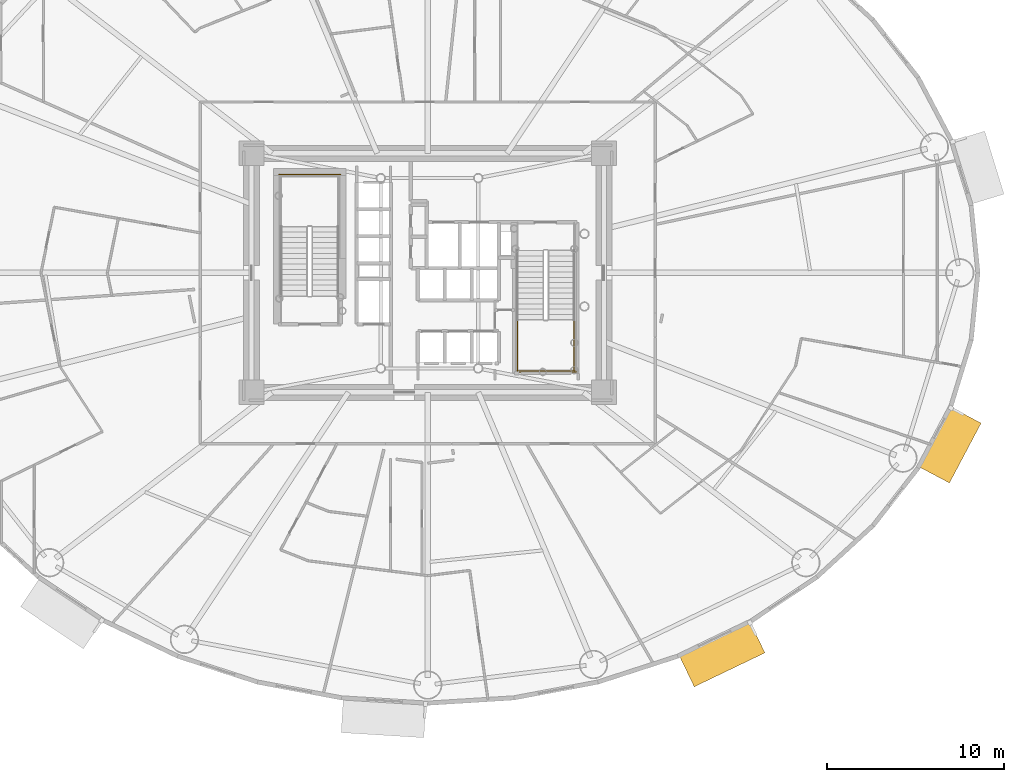
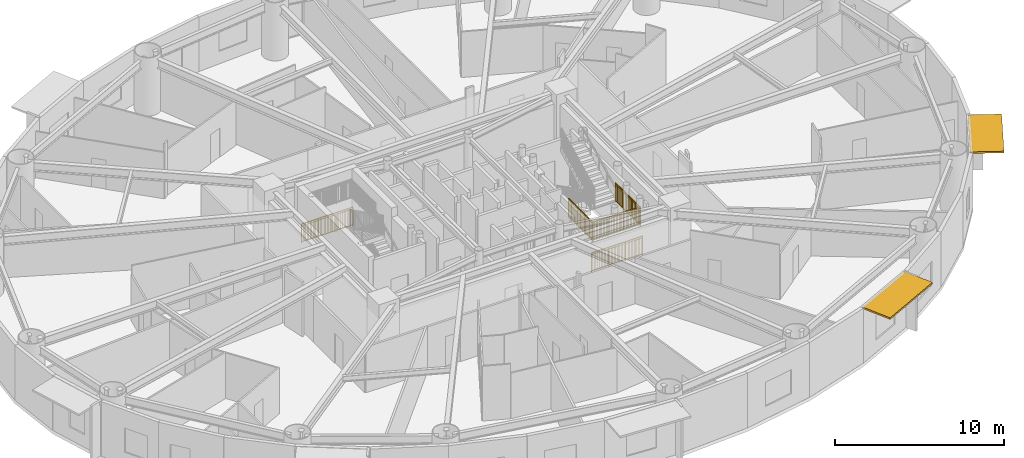
# One storey, part 18 of 21: 5 railings, 2 shading devices.
"""IFC4 building model written with IfcOpenShell, lengths in metres."""

from ifc_helpers import new_model, si_unit, direction, frame, origin, origin_2d, place, context, subcontext, project, spatial, rectangle, extrude, source, transform, mapped, material, layer, layer_set, type_object, element, save


model = new_model("IFC4")

# Units and contexts
model_context = context("Model", 3, precision=1e-05, world=origin(), true_north=direction((0.0, 1.0)))
body_context = subcontext(model_context, "Body", "Model", "MODEL_VIEW")
ifc_project = project(units=[si_unit("LENGTHUNIT", "METRE"), si_unit("AREAUNIT", "SQUARE_METRE"), si_unit("VOLUMEUNIT", "CUBIC_METRE"), si_unit("PLANEANGLEUNIT", "RADIAN"), si_unit("MASSUNIT", "GRAM", prefix="KILO")], contexts=[model_context])

# Site, building, storey
site_placement = place(None, origin())
site = spatial("IfcSite", under=ifc_project, at=site_placement, CompositionType="ELEMENT")
building_placement = place(site_placement, origin())
building = spatial("IfcBuilding", under=site, at=building_placement, Name="Linh Dai School and Residence Tower", CompositionType="ELEMENT")
storey_placement = place(building_placement, frame((0.0, 0.0, 61.800048828125)))
storey = spatial("IfcBuildingStorey", under=building, at=storey_placement, Name="L14", CompositionType="ELEMENT", Elevation=61.800048828125)

# Shading devices
ifc_material_1 = material(Name="Terracotta Ceramic Sunshade", Category="masonry")
ifc_layer = layer(ifc_material_1, 0.1201171875)
ifc_layer_set = layer_set([ifc_layer], Name="Terracotta Ceramic Sunshade")
shading_device_type = type_object("IfcShadingDeviceType", Name="SHD-TC-2000", PredefinedType="USERDEFINED", material=ifc_layer_set)
shared_shape_1 = source(origin(), body_context, "Body", "SweptSolid", [
    extrude(rectangle(XDim=4.428466796875, YDim=2.0, at=origin_2d()), origin(), (0.0, 0.0, 1.0), 0.1201171875),
])
shading_device_1_placement = place(storey_placement, frame((52.613037109375, 5.48095703125, 3.809814453125), z_axis=(0.0, 0.0, 1.0), x_axis=(-0.901584514626, -0.432603008528, 0.0)))
element("IfcShadingDevice", 1, at=shading_device_1_placement, inside=storey, type_object=shading_device_type, Name="L14 Terracotta Horizontal Sunshade Band 34", ObjectType="SUNSHADE", PredefinedType="USERDEFINED", context=body_context, shape_type="MappedRepresentation", body=[
    mapped(shared_shape_1, transform((0.0, 0.0, 0.0), x_axis=(1.0, 0.0, 0.0), y_axis=(0.0, 1.0, 0.0), z_axis=(0.0, 0.0, 1.0), scale=1.0)),
])
shared_shape_2 = source(origin(), body_context, "Body", "SweptSolid", [
    extrude(rectangle(XDim=3.824462890625, YDim=2.0, at=origin_2d()), origin(), (0.0, 0.0, 1.0), 0.1201171875),
])
shading_device_2_placement = place(storey_placement, frame((65.474609375, 17.2890625, 3.809814453125), z_axis=(0.0, 0.0, 1.0), x_axis=(-0.467611940042, -0.883933862645, 0.0)))
element("IfcShadingDevice", 2, at=shading_device_2_placement, inside=storey, type_object=shading_device_type, Name="L14 Terracotta Horizontal Sunshade Band 38", ObjectType="SUNSHADE", PredefinedType="USERDEFINED", context=body_context, shape_type="MappedRepresentation", body=[
    mapped(shared_shape_2, transform((0.0, 0.0, 0.0), x_axis=(1.0, 0.0, 0.0), y_axis=(0.0, 1.0, 0.0), z_axis=(0.0, 0.0, 1.0), scale=1.0)),
])

# Railings
ifc_material_2 = material(Name="Structural Steel S355JR", Category="steel")
railing_type = type_object("IfcRailingType", Name="RL-ST-GUARD-1400", PredefinedType="GUARDRAIL", material=ifc_material_2)
shared_shape_3 = source(origin(), body_context, "Body", "SweptSolid", [
    extrude(rectangle(XDim=0.048095703125, YDim=0.048095703125, at=origin_2d()), frame((0.0, 0.0, 1.3759765625), z_axis=(-1.0, 0.0, 0.0), x_axis=(0.0, -1.0, 0.0)), (0.0, 0.0, 1.0), 3.5),
    extrude(rectangle(XDim=0.048095703125, YDim=0.048095703125, at=origin_2d()), frame((0.0, 0.0, 0.10009765625), z_axis=(-1.0, 0.0, 0.0), x_axis=(0.0, -1.0, 0.0)), (0.0, 0.0, 1.0), 3.5),
    extrude(rectangle(XDim=0.030029296875, YDim=0.030029296875, at=origin_2d()), frame((0.0, 0.0, 1.239990234375), z_axis=(-1.0, 0.0, 0.0), x_axis=(0.0, -1.0, 0.0)), (0.0, 0.0, 1.0), 3.5),
    extrude(rectangle(XDim=0.02001953125, YDim=0.02001953125, at=origin_2d()), frame((-0.09716796875, 0.0, 0.10009765625)), (0.0, 0.0, 1.0), 1.251708984375),
    extrude(rectangle(XDim=0.02001953125, YDim=0.02001953125, at=origin_2d()), frame((-0.1943359375, 0.0, 0.10009765625)), (0.0, 0.0, 1.0), 1.251708984375),
    extrude(rectangle(XDim=0.02001953125, YDim=0.02001953125, at=origin_2d()), frame((-0.291748046875, 0.0, 0.10009765625)), (0.0, 0.0, 1.0), 1.251708984375),
    extrude(rectangle(XDim=0.02001953125, YDim=0.02001953125, at=origin_2d()), frame((-0.388916015625, 0.0, 0.10009765625)), (0.0, 0.0, 1.0), 1.251708984375),
    extrude(rectangle(XDim=0.02001953125, YDim=0.02001953125, at=origin_2d()), frame((-0.486083984375, 0.0, 0.10009765625)), (0.0, 0.0, 1.0), 1.251708984375),
    extrude(rectangle(XDim=0.02001953125, YDim=0.02001953125, at=origin_2d()), frame((-0.583251953125, 0.0, 0.10009765625)), (0.0, 0.0, 1.0), 1.251708984375),
    extrude(rectangle(XDim=0.02001953125, YDim=0.02001953125, at=origin_2d()), frame((-0.6806640625, 0.0, 0.10009765625)), (0.0, 0.0, 1.0), 1.251708984375),
    extrude(rectangle(XDim=0.02001953125, YDim=0.02001953125, at=origin_2d()), frame((-0.77783203125, 0.0, 0.10009765625)), (0.0, 0.0, 1.0), 1.251708984375),
    extrude(rectangle(XDim=0.02001953125, YDim=0.02001953125, at=origin_2d()), frame((-0.875, 0.0, 0.10009765625)), (0.0, 0.0, 1.0), 1.251708984375),
    extrude(rectangle(XDim=0.02001953125, YDim=0.02001953125, at=origin_2d()), frame((-0.97216796875, 0.0, 0.10009765625)), (0.0, 0.0, 1.0), 1.251708984375),
    extrude(rectangle(XDim=0.02001953125, YDim=0.02001953125, at=origin_2d()), frame((-1.0693359375, 0.0, 0.10009765625)), (0.0, 0.0, 1.0), 1.251708984375),
    extrude(rectangle(XDim=0.02001953125, YDim=0.02001953125, at=origin_2d()), frame((-1.263916015625, 0.0, 0.10009765625)), (0.0, 0.0, 1.0), 1.251708984375),
    extrude(rectangle(XDim=0.02001953125, YDim=0.02001953125, at=origin_2d()), frame((-1.361083984375, 0.0, 0.10009765625)), (0.0, 0.0, 1.0), 1.251708984375),
    extrude(rectangle(XDim=0.02001953125, YDim=0.02001953125, at=origin_2d()), frame((-1.458251953125, 0.0, 0.10009765625)), (0.0, 0.0, 1.0), 1.251708984375),
    extrude(rectangle(XDim=0.02001953125, YDim=0.02001953125, at=origin_2d()), frame((-1.5556640625, 0.0, 0.10009765625)), (0.0, 0.0, 1.0), 1.251708984375),
    extrude(rectangle(XDim=0.02001953125, YDim=0.02001953125, at=origin_2d()), frame((-1.65283203125, 0.0, 0.10009765625)), (0.0, 0.0, 1.0), 1.251708984375),
    extrude(rectangle(XDim=0.02001953125, YDim=0.02001953125, at=origin_2d()), frame((-1.75, 0.0, 0.10009765625)), (0.0, 0.0, 1.0), 1.251708984375),
    extrude(rectangle(XDim=0.02001953125, YDim=0.02001953125, at=origin_2d()), frame((-1.84716796875, 0.0, 0.10009765625)), (0.0, 0.0, 1.0), 1.251708984375),
    extrude(rectangle(XDim=0.02001953125, YDim=0.02001953125, at=origin_2d()), frame((-1.9443359375, 0.0, 0.10009765625)), (0.0, 0.0, 1.0), 1.251708984375),
    extrude(rectangle(XDim=0.02001953125, YDim=0.02001953125, at=origin_2d()), frame((-2.041748046875, 0.0, 0.10009765625)), (0.0, 0.0, 1.0), 1.251708984375),
    extrude(rectangle(XDim=0.02001953125, YDim=0.02001953125, at=origin_2d()), frame((-2.138916015625, 0.0, 0.10009765625)), (0.0, 0.0, 1.0), 1.251708984375),
    extrude(rectangle(XDim=0.02001953125, YDim=0.02001953125, at=origin_2d()), frame((-2.236083984375, 0.0, 0.10009765625)), (0.0, 0.0, 1.0), 1.251708984375),
    extrude(rectangle(XDim=0.02001953125, YDim=0.02001953125, at=origin_2d()), frame((-2.4306640625, 0.0, 0.10009765625)), (0.0, 0.0, 1.0), 1.251708984375),
    extrude(rectangle(XDim=0.02001953125, YDim=0.02001953125, at=origin_2d()), frame((-2.52783203125, 0.0, 0.10009765625)), (0.0, 0.0, 1.0), 1.251708984375),
    extrude(rectangle(XDim=0.02001953125, YDim=0.02001953125, at=origin_2d()), frame((-2.625, 0.0, 0.10009765625)), (0.0, 0.0, 1.0), 1.251708984375),
    extrude(rectangle(XDim=0.02001953125, YDim=0.02001953125, at=origin_2d()), frame((-2.72216796875, 0.0, 0.10009765625)), (0.0, 0.0, 1.0), 1.251708984375),
    extrude(rectangle(XDim=0.02001953125, YDim=0.02001953125, at=origin_2d()), frame((-2.8193359375, 0.0, 0.10009765625)), (0.0, 0.0, 1.0), 1.251708984375),
    extrude(rectangle(XDim=0.02001953125, YDim=0.02001953125, at=origin_2d()), frame((-2.916748046875, 0.0, 0.10009765625)), (0.0, 0.0, 1.0), 1.251708984375),
    extrude(rectangle(XDim=0.02001953125, YDim=0.02001953125, at=origin_2d()), frame((-3.013916015625, 0.0, 0.10009765625)), (0.0, 0.0, 1.0), 1.251708984375),
    extrude(rectangle(XDim=0.02001953125, YDim=0.02001953125, at=origin_2d()), frame((-3.111083984375, 0.0, 0.10009765625)), (0.0, 0.0, 1.0), 1.251708984375),
    extrude(rectangle(XDim=0.02001953125, YDim=0.02001953125, at=origin_2d()), frame((-3.208251953125, 0.0, 0.10009765625)), (0.0, 0.0, 1.0), 1.251708984375),
    extrude(rectangle(XDim=0.02001953125, YDim=0.02001953125, at=origin_2d()), frame((-3.3056640625, 0.0, 0.10009765625)), (0.0, 0.0, 1.0), 1.251708984375),
    extrude(rectangle(XDim=0.02001953125, YDim=0.02001953125, at=origin_2d()), frame((-3.40283203125, 0.0, 0.10009765625)), (0.0, 0.0, 1.0), 1.251708984375),
    extrude(rectangle(XDim=0.0419921875, YDim=0.0419921875, at=origin_2d()), origin(), (0.0, 0.0, 1.0), 1.3759765625),
    extrude(rectangle(XDim=0.0419921875, YDim=0.0419921875, at=origin_2d()), frame((-1.166748046875, 0.0, 0.0)), (0.0, 0.0, 1.0), 1.3759765625),
    extrude(rectangle(XDim=0.0419921875, YDim=0.0419921875, at=origin_2d()), frame((-2.333251953125, 0.0, 0.0)), (0.0, 0.0, 1.0), 1.3759765625),
    extrude(rectangle(XDim=0.0419921875, YDim=0.0419921875, at=origin_2d()), frame((-3.5, 0.0, 0.0)), (0.0, 0.0, 1.0), 1.3759765625),
])
railing_1_placement = place(storey_placement, frame((31.080078125, 32.550048828125, 0.0)))
element("IfcRailing", 3, at=railing_1_placement, inside=storey, type_object=railing_type, Name="L14 ST1 stair guard 12", PredefinedType="GUARDRAIL", context=body_context, shape_type="MappedRepresentation", body=[
    mapped(shared_shape_3, transform((0.0, 0.0, 0.0), x_axis=(1.0, 0.0, 0.0), y_axis=(0.0, 1.0, 0.0), z_axis=(0.0, 0.0, 1.0), scale=1.0)),
])
shared_shape_4 = source(origin(), body_context, "Body", "SweptSolid", [
    extrude(rectangle(XDim=0.048095703125, YDim=0.048095703125, at=origin_2d()), frame((0.0, 0.0, 1.3759765625), z_axis=(1.0, 0.0, 0.0), x_axis=(0.0, 1.0, 0.0)), (0.0, 0.0, 1.0), 3.300048828125),
    extrude(rectangle(XDim=0.048095703125, YDim=0.048095703125, at=origin_2d()), frame((0.0, 0.0, 0.10009765625), z_axis=(1.0, 0.0, 0.0), x_axis=(0.0, 1.0, 0.0)), (0.0, 0.0, 1.0), 3.300048828125),
    extrude(rectangle(XDim=0.030029296875, YDim=0.030029296875, at=origin_2d()), frame((0.0, 0.0, 1.239990234375), z_axis=(1.0, 0.0, 0.0), x_axis=(0.0, 1.0, 0.0)), (0.0, 0.0, 1.0), 3.300048828125),
    extrude(rectangle(XDim=0.02001953125, YDim=0.02001953125, at=origin_2d()), frame((0.09716796875, 0.0, 0.10009765625)), (0.0, 0.0, 1.0), 1.251708984375),
    extrude(rectangle(XDim=0.02001953125, YDim=0.02001953125, at=origin_2d()), frame((0.194091796875, 0.0, 0.10009765625)), (0.0, 0.0, 1.0), 1.251708984375),
    extrude(rectangle(XDim=0.02001953125, YDim=0.02001953125, at=origin_2d()), frame((0.291259765625, 0.0, 0.10009765625)), (0.0, 0.0, 1.0), 1.251708984375),
    extrude(rectangle(XDim=0.02001953125, YDim=0.02001953125, at=origin_2d()), frame((0.38818359375, 0.0, 0.10009765625)), (0.0, 0.0, 1.0), 1.251708984375),
    extrude(rectangle(XDim=0.02001953125, YDim=0.02001953125, at=origin_2d()), frame((0.4853515625, 0.0, 0.10009765625)), (0.0, 0.0, 1.0), 1.251708984375),
    extrude(rectangle(XDim=0.02001953125, YDim=0.02001953125, at=origin_2d()), frame((0.582275390625, 0.0, 0.10009765625)), (0.0, 0.0, 1.0), 1.251708984375),
    extrude(rectangle(XDim=0.02001953125, YDim=0.02001953125, at=origin_2d()), frame((0.679443359375, 0.0, 0.10009765625)), (0.0, 0.0, 1.0), 1.251708984375),
    extrude(rectangle(XDim=0.02001953125, YDim=0.02001953125, at=origin_2d()), frame((0.7763671875, 0.0, 0.10009765625)), (0.0, 0.0, 1.0), 1.251708984375),
    extrude(rectangle(XDim=0.02001953125, YDim=0.02001953125, at=origin_2d()), frame((0.87353515625, 0.0, 0.10009765625)), (0.0, 0.0, 1.0), 1.251708984375),
    extrude(rectangle(XDim=0.02001953125, YDim=0.02001953125, at=origin_2d()), frame((0.970703125, 0.0, 0.10009765625)), (0.0, 0.0, 1.0), 1.251708984375),
    extrude(rectangle(XDim=0.02001953125, YDim=0.02001953125, at=origin_2d()), frame((1.164794921875, 0.0, 0.10009765625)), (0.0, 0.0, 1.0), 1.251708984375),
    extrude(rectangle(XDim=0.02001953125, YDim=0.02001953125, at=origin_2d()), frame((1.26171875, 0.0, 0.10009765625)), (0.0, 0.0, 1.0), 1.251708984375),
    extrude(rectangle(XDim=0.02001953125, YDim=0.02001953125, at=origin_2d()), frame((1.35888671875, 0.0, 0.10009765625)), (0.0, 0.0, 1.0), 1.251708984375),
    extrude(rectangle(XDim=0.02001953125, YDim=0.02001953125, at=origin_2d()), frame((1.455810546875, 0.0, 0.10009765625)), (0.0, 0.0, 1.0), 1.251708984375),
    extrude(rectangle(XDim=0.02001953125, YDim=0.02001953125, at=origin_2d()), frame((1.552978515625, 0.0, 0.10009765625)), (0.0, 0.0, 1.0), 1.251708984375),
    extrude(rectangle(XDim=0.02001953125, YDim=0.02001953125, at=origin_2d()), frame((1.64990234375, 0.0, 0.10009765625)), (0.0, 0.0, 1.0), 1.251708984375),
    extrude(rectangle(XDim=0.02001953125, YDim=0.02001953125, at=origin_2d()), frame((1.7470703125, 0.0, 0.10009765625)), (0.0, 0.0, 1.0), 1.251708984375),
    extrude(rectangle(XDim=0.02001953125, YDim=0.02001953125, at=origin_2d()), frame((1.84423828125, 0.0, 0.10009765625)), (0.0, 0.0, 1.0), 1.251708984375),
    extrude(rectangle(XDim=0.02001953125, YDim=0.02001953125, at=origin_2d()), frame((1.941162109375, 0.0, 0.10009765625)), (0.0, 0.0, 1.0), 1.251708984375),
    extrude(rectangle(XDim=0.02001953125, YDim=0.02001953125, at=origin_2d()), frame((2.038330078125, 0.0, 0.10009765625)), (0.0, 0.0, 1.0), 1.251708984375),
    extrude(rectangle(XDim=0.02001953125, YDim=0.02001953125, at=origin_2d()), frame((2.13525390625, 0.0, 0.10009765625)), (0.0, 0.0, 1.0), 1.251708984375),
    extrude(rectangle(XDim=0.02001953125, YDim=0.02001953125, at=origin_2d()), frame((2.329345703125, 0.0, 0.10009765625)), (0.0, 0.0, 1.0), 1.251708984375),
    extrude(rectangle(XDim=0.02001953125, YDim=0.02001953125, at=origin_2d()), frame((2.426513671875, 0.0, 0.10009765625)), (0.0, 0.0, 1.0), 1.251708984375),
    extrude(rectangle(XDim=0.02001953125, YDim=0.02001953125, at=origin_2d()), frame((2.523681640625, 0.0, 0.10009765625)), (0.0, 0.0, 1.0), 1.251708984375),
    extrude(rectangle(XDim=0.02001953125, YDim=0.02001953125, at=origin_2d()), frame((2.62060546875, 0.0, 0.10009765625)), (0.0, 0.0, 1.0), 1.251708984375),
    extrude(rectangle(XDim=0.02001953125, YDim=0.02001953125, at=origin_2d()), frame((2.7177734375, 0.0, 0.10009765625)), (0.0, 0.0, 1.0), 1.251708984375),
    extrude(rectangle(XDim=0.02001953125, YDim=0.02001953125, at=origin_2d()), frame((2.814697265625, 0.0, 0.10009765625)), (0.0, 0.0, 1.0), 1.251708984375),
    extrude(rectangle(XDim=0.02001953125, YDim=0.02001953125, at=origin_2d()), frame((2.911865234375, 0.0, 0.10009765625)), (0.0, 0.0, 1.0), 1.251708984375),
    extrude(rectangle(XDim=0.02001953125, YDim=0.02001953125, at=origin_2d()), frame((3.0087890625, 0.0, 0.10009765625)), (0.0, 0.0, 1.0), 1.251708984375),
    extrude(rectangle(XDim=0.02001953125, YDim=0.02001953125, at=origin_2d()), frame((3.10595703125, 0.0, 0.10009765625)), (0.0, 0.0, 1.0), 1.251708984375),
    extrude(rectangle(XDim=0.02001953125, YDim=0.02001953125, at=origin_2d()), frame((3.202880859375, 0.0, 0.10009765625)), (0.0, 0.0, 1.0), 1.251708984375),
    extrude(rectangle(XDim=0.0419921875, YDim=0.0419921875, at=origin_2d()), origin(), (0.0, 0.0, 1.0), 1.3759765625),
    extrude(rectangle(XDim=0.0419921875, YDim=0.0419921875, at=origin_2d()), frame((1.10009765625, 0.0, 0.0)), (0.0, 0.0, 1.0), 1.3759765625),
    extrude(rectangle(XDim=0.0419921875, YDim=0.0419921875, at=origin_2d()), frame((2.199951171875, 0.0, 0.0)), (0.0, 0.0, 1.0), 1.3759765625),
    extrude(rectangle(XDim=0.0419921875, YDim=0.0419921875, at=origin_2d()), frame((3.300048828125, 0.0, 0.0)), (0.0, 0.0, 1.0), 1.3759765625),
])
railing_2_placement = place(storey_placement, frame((41.02001953125, 21.5, 2.099853515625)))
element("IfcRailing", 4, at=railing_2_placement, inside=storey, type_object=railing_type, Name="L14 ST2 stair guard 5", PredefinedType="GUARDRAIL", context=body_context, shape_type="MappedRepresentation", body=[
    mapped(shared_shape_4, transform((0.0, 0.0, 0.0), x_axis=(1.0, 0.0, 0.0), y_axis=(0.0, 1.0, 0.0), z_axis=(0.0, 0.0, 1.0), scale=1.0)),
])
shared_shape_5 = source(origin(), body_context, "Body", "SweptSolid", [
    extrude(rectangle(XDim=0.048095703125, YDim=0.048095703125, at=origin_2d()), frame((0.0, 0.0, 1.3759765625), z_axis=(1.0, 0.0, 0.0), x_axis=(0.0, 1.0, 0.0)), (0.0, 0.0, 1.0), 3.5),
    extrude(rectangle(XDim=0.048095703125, YDim=0.048095703125, at=origin_2d()), frame((0.0, 0.0, 0.10009765625), z_axis=(1.0, 0.0, 0.0), x_axis=(0.0, 1.0, 0.0)), (0.0, 0.0, 1.0), 3.5),
    extrude(rectangle(XDim=0.030029296875, YDim=0.030029296875, at=origin_2d()), frame((0.0, 0.0, 1.239990234375), z_axis=(1.0, 0.0, 0.0), x_axis=(0.0, 1.0, 0.0)), (0.0, 0.0, 1.0), 3.5),
    extrude(rectangle(XDim=0.02001953125, YDim=0.02001953125, at=origin_2d()), frame((0.09716796875, 0.0, 0.10009765625)), (0.0, 0.0, 1.0), 1.251708984375),
    extrude(rectangle(XDim=0.02001953125, YDim=0.02001953125, at=origin_2d()), frame((0.1943359375, 0.0, 0.10009765625)), (0.0, 0.0, 1.0), 1.251708984375),
    extrude(rectangle(XDim=0.02001953125, YDim=0.02001953125, at=origin_2d()), frame((0.291748046875, 0.0, 0.10009765625)), (0.0, 0.0, 1.0), 1.251708984375),
    extrude(rectangle(XDim=0.02001953125, YDim=0.02001953125, at=origin_2d()), frame((0.388916015625, 0.0, 0.10009765625)), (0.0, 0.0, 1.0), 1.251708984375),
    extrude(rectangle(XDim=0.02001953125, YDim=0.02001953125, at=origin_2d()), frame((0.486083984375, 0.0, 0.10009765625)), (0.0, 0.0, 1.0), 1.251708984375),
    extrude(rectangle(XDim=0.02001953125, YDim=0.02001953125, at=origin_2d()), frame((0.583251953125, 0.0, 0.10009765625)), (0.0, 0.0, 1.0), 1.251708984375),
    extrude(rectangle(XDim=0.02001953125, YDim=0.02001953125, at=origin_2d()), frame((0.6806640625, 0.0, 0.10009765625)), (0.0, 0.0, 1.0), 1.251708984375),
    extrude(rectangle(XDim=0.02001953125, YDim=0.02001953125, at=origin_2d()), frame((0.77783203125, 0.0, 0.10009765625)), (0.0, 0.0, 1.0), 1.251708984375),
    extrude(rectangle(XDim=0.02001953125, YDim=0.02001953125, at=origin_2d()), frame((0.875, 0.0, 0.10009765625)), (0.0, 0.0, 1.0), 1.251708984375),
    extrude(rectangle(XDim=0.02001953125, YDim=0.02001953125, at=origin_2d()), frame((0.97216796875, 0.0, 0.10009765625)), (0.0, 0.0, 1.0), 1.251708984375),
    extrude(rectangle(XDim=0.02001953125, YDim=0.02001953125, at=origin_2d()), frame((1.0693359375, 0.0, 0.10009765625)), (0.0, 0.0, 1.0), 1.251708984375),
    extrude(rectangle(XDim=0.02001953125, YDim=0.02001953125, at=origin_2d()), frame((1.263916015625, 0.0, 0.10009765625)), (0.0, 0.0, 1.0), 1.251708984375),
    extrude(rectangle(XDim=0.02001953125, YDim=0.02001953125, at=origin_2d()), frame((1.361083984375, 0.0, 0.10009765625)), (0.0, 0.0, 1.0), 1.251708984375),
    extrude(rectangle(XDim=0.02001953125, YDim=0.02001953125, at=origin_2d()), frame((1.458251953125, 0.0, 0.10009765625)), (0.0, 0.0, 1.0), 1.251708984375),
    extrude(rectangle(XDim=0.02001953125, YDim=0.02001953125, at=origin_2d()), frame((1.5556640625, 0.0, 0.10009765625)), (0.0, 0.0, 1.0), 1.251708984375),
    extrude(rectangle(XDim=0.02001953125, YDim=0.02001953125, at=origin_2d()), frame((1.65283203125, 0.0, 0.10009765625)), (0.0, 0.0, 1.0), 1.251708984375),
    extrude(rectangle(XDim=0.02001953125, YDim=0.02001953125, at=origin_2d()), frame((1.75, 0.0, 0.10009765625)), (0.0, 0.0, 1.0), 1.251708984375),
    extrude(rectangle(XDim=0.02001953125, YDim=0.02001953125, at=origin_2d()), frame((1.84716796875, 0.0, 0.10009765625)), (0.0, 0.0, 1.0), 1.251708984375),
    extrude(rectangle(XDim=0.02001953125, YDim=0.02001953125, at=origin_2d()), frame((1.9443359375, 0.0, 0.10009765625)), (0.0, 0.0, 1.0), 1.251708984375),
    extrude(rectangle(XDim=0.02001953125, YDim=0.02001953125, at=origin_2d()), frame((2.041748046875, 0.0, 0.10009765625)), (0.0, 0.0, 1.0), 1.251708984375),
    extrude(rectangle(XDim=0.02001953125, YDim=0.02001953125, at=origin_2d()), frame((2.138916015625, 0.0, 0.10009765625)), (0.0, 0.0, 1.0), 1.251708984375),
    extrude(rectangle(XDim=0.02001953125, YDim=0.02001953125, at=origin_2d()), frame((2.236083984375, 0.0, 0.10009765625)), (0.0, 0.0, 1.0), 1.251708984375),
    extrude(rectangle(XDim=0.02001953125, YDim=0.02001953125, at=origin_2d()), frame((2.4306640625, 0.0, 0.10009765625)), (0.0, 0.0, 1.0), 1.251708984375),
    extrude(rectangle(XDim=0.02001953125, YDim=0.02001953125, at=origin_2d()), frame((2.52783203125, 0.0, 0.10009765625)), (0.0, 0.0, 1.0), 1.251708984375),
    extrude(rectangle(XDim=0.02001953125, YDim=0.02001953125, at=origin_2d()), frame((2.625, 0.0, 0.10009765625)), (0.0, 0.0, 1.0), 1.251708984375),
    extrude(rectangle(XDim=0.02001953125, YDim=0.02001953125, at=origin_2d()), frame((2.72216796875, 0.0, 0.10009765625)), (0.0, 0.0, 1.0), 1.251708984375),
    extrude(rectangle(XDim=0.02001953125, YDim=0.02001953125, at=origin_2d()), frame((2.8193359375, 0.0, 0.10009765625)), (0.0, 0.0, 1.0), 1.251708984375),
    extrude(rectangle(XDim=0.02001953125, YDim=0.02001953125, at=origin_2d()), frame((2.916748046875, 0.0, 0.10009765625)), (0.0, 0.0, 1.0), 1.251708984375),
    extrude(rectangle(XDim=0.02001953125, YDim=0.02001953125, at=origin_2d()), frame((3.013916015625, 0.0, 0.10009765625)), (0.0, 0.0, 1.0), 1.251708984375),
    extrude(rectangle(XDim=0.02001953125, YDim=0.02001953125, at=origin_2d()), frame((3.111083984375, 0.0, 0.10009765625)), (0.0, 0.0, 1.0), 1.251708984375),
    extrude(rectangle(XDim=0.02001953125, YDim=0.02001953125, at=origin_2d()), frame((3.208251953125, 0.0, 0.10009765625)), (0.0, 0.0, 1.0), 1.251708984375),
    extrude(rectangle(XDim=0.02001953125, YDim=0.02001953125, at=origin_2d()), frame((3.3056640625, 0.0, 0.10009765625)), (0.0, 0.0, 1.0), 1.251708984375),
    extrude(rectangle(XDim=0.02001953125, YDim=0.02001953125, at=origin_2d()), frame((3.40283203125, 0.0, 0.10009765625)), (0.0, 0.0, 1.0), 1.251708984375),
    extrude(rectangle(XDim=0.0419921875, YDim=0.0419921875, at=origin_2d()), origin(), (0.0, 0.0, 1.0), 1.3759765625),
    extrude(rectangle(XDim=0.0419921875, YDim=0.0419921875, at=origin_2d()), frame((1.166748046875, 0.0, 0.0)), (0.0, 0.0, 1.0), 1.3759765625),
    extrude(rectangle(XDim=0.0419921875, YDim=0.0419921875, at=origin_2d()), frame((2.333251953125, 0.0, 0.0)), (0.0, 0.0, 1.0), 1.3759765625),
    extrude(rectangle(XDim=0.0419921875, YDim=0.0419921875, at=origin_2d()), frame((3.5, 0.0, 0.0)), (0.0, 0.0, 1.0), 1.3759765625),
])
railing_3_placement = place(storey_placement, frame((40.919921875, 21.39990234375, 0.0)))
element("IfcRailing", 5, at=railing_3_placement, inside=storey, type_object=railing_type, Name="L14 ST2 stair guard 12", PredefinedType="GUARDRAIL", context=body_context, shape_type="MappedRepresentation", body=[
    mapped(shared_shape_5, transform((0.0, 0.0, 0.0), x_axis=(1.0, 0.0, 0.0), y_axis=(0.0, 1.0, 0.0), z_axis=(0.0, 0.0, 1.0), scale=1.0)),
])
shared_shape_6 = source(origin(), body_context, "Body", "SweptSolid", [
    extrude(rectangle(XDim=0.048095703125, YDim=0.048095703125, at=origin_2d()), frame((0.0, 0.0, 1.3759765625), z_axis=(0.0, -1.0, 0.0), x_axis=(1.0, 0.0, 0.0)), (0.0, 0.0, 1.0), 2.900146484375),
    extrude(rectangle(XDim=0.048095703125, YDim=0.048095703125, at=origin_2d()), frame((0.0, 0.0, 0.10009765625), z_axis=(0.0, -1.0, 0.0), x_axis=(1.0, 0.0, 0.0)), (0.0, 0.0, 1.0), 2.900146484375),
    extrude(rectangle(XDim=0.030029296875, YDim=0.030029296875, at=origin_2d()), frame((0.0, 0.0, 1.239990234375), z_axis=(0.0, -1.0, 0.0), x_axis=(1.0, 0.0, 0.0)), (0.0, 0.0, 1.0), 2.900146484375),
    extrude(rectangle(XDim=0.02001953125, YDim=0.02001953125, at=origin_2d()), frame((0.0, -0.0966796875, 0.10009765625)), (0.0, 0.0, 1.0), 1.251708984375),
    extrude(rectangle(XDim=0.02001953125, YDim=0.02001953125, at=origin_2d()), frame((0.0, -0.193359375, 0.10009765625)), (0.0, 0.0, 1.0), 1.251708984375),
    extrude(rectangle(XDim=0.02001953125, YDim=0.02001953125, at=origin_2d()), frame((0.0, -0.2900390625, 0.10009765625)), (0.0, 0.0, 1.0), 1.251708984375),
    extrude(rectangle(XDim=0.02001953125, YDim=0.02001953125, at=origin_2d()), frame((0.0, -0.38671875, 0.10009765625)), (0.0, 0.0, 1.0), 1.251708984375),
    extrude(rectangle(XDim=0.02001953125, YDim=0.02001953125, at=origin_2d()), frame((0.0, -0.4833984375, 0.10009765625)), (0.0, 0.0, 1.0), 1.251708984375),
    extrude(rectangle(XDim=0.02001953125, YDim=0.02001953125, at=origin_2d()), frame((0.0, -0.580078125, 0.10009765625)), (0.0, 0.0, 1.0), 1.251708984375),
    extrude(rectangle(XDim=0.02001953125, YDim=0.02001953125, at=origin_2d()), frame((0.0, -0.6767578125, 0.10009765625)), (0.0, 0.0, 1.0), 1.251708984375),
    extrude(rectangle(XDim=0.02001953125, YDim=0.02001953125, at=origin_2d()), frame((0.0, -0.7734375, 0.10009765625)), (0.0, 0.0, 1.0), 1.251708984375),
    extrude(rectangle(XDim=0.02001953125, YDim=0.02001953125, at=origin_2d()), frame((0.0, -0.8701171875, 0.10009765625)), (0.0, 0.0, 1.0), 1.251708984375),
    extrude(rectangle(XDim=0.02001953125, YDim=0.02001953125, at=origin_2d()), frame((0.0, -1.0634765625, 0.10009765625)), (0.0, 0.0, 1.0), 1.251708984375),
    extrude(rectangle(XDim=0.02001953125, YDim=0.02001953125, at=origin_2d()), frame((0.0, -1.16015625, 0.10009765625)), (0.0, 0.0, 1.0), 1.251708984375),
    extrude(rectangle(XDim=0.02001953125, YDim=0.02001953125, at=origin_2d()), frame((0.0, -1.2568359375, 0.10009765625)), (0.0, 0.0, 1.0), 1.251708984375),
    extrude(rectangle(XDim=0.02001953125, YDim=0.02001953125, at=origin_2d()), frame((0.0, -1.353515625, 0.10009765625)), (0.0, 0.0, 1.0), 1.251708984375),
    extrude(rectangle(XDim=0.02001953125, YDim=0.02001953125, at=origin_2d()), frame((0.0, -1.4501953125, 0.10009765625)), (0.0, 0.0, 1.0), 1.251708984375),
    extrude(rectangle(XDim=0.02001953125, YDim=0.02001953125, at=origin_2d()), frame((0.0, -1.546630859375, 0.10009765625)), (0.0, 0.0, 1.0), 1.251708984375),
    extrude(rectangle(XDim=0.02001953125, YDim=0.02001953125, at=origin_2d()), frame((0.0, -1.643310546875, 0.10009765625)), (0.0, 0.0, 1.0), 1.251708984375),
    extrude(rectangle(XDim=0.02001953125, YDim=0.02001953125, at=origin_2d()), frame((0.0, -1.739990234375, 0.10009765625)), (0.0, 0.0, 1.0), 1.251708984375),
    extrude(rectangle(XDim=0.02001953125, YDim=0.02001953125, at=origin_2d()), frame((0.0, -1.836669921875, 0.10009765625)), (0.0, 0.0, 1.0), 1.251708984375),
    extrude(rectangle(XDim=0.02001953125, YDim=0.02001953125, at=origin_2d()), frame((0.0, -2.030029296875, 0.10009765625)), (0.0, 0.0, 1.0), 1.251708984375),
    extrude(rectangle(XDim=0.02001953125, YDim=0.02001953125, at=origin_2d()), frame((0.0, -2.126708984375, 0.10009765625)), (0.0, 0.0, 1.0), 1.251708984375),
    extrude(rectangle(XDim=0.02001953125, YDim=0.02001953125, at=origin_2d()), frame((0.0, -2.223388671875, 0.10009765625)), (0.0, 0.0, 1.0), 1.251708984375),
    extrude(rectangle(XDim=0.02001953125, YDim=0.02001953125, at=origin_2d()), frame((0.0, -2.320068359375, 0.10009765625)), (0.0, 0.0, 1.0), 1.251708984375),
    extrude(rectangle(XDim=0.02001953125, YDim=0.02001953125, at=origin_2d()), frame((0.0, -2.416748046875, 0.10009765625)), (0.0, 0.0, 1.0), 1.251708984375),
    extrude(rectangle(XDim=0.02001953125, YDim=0.02001953125, at=origin_2d()), frame((0.0, -2.513427734375, 0.10009765625)), (0.0, 0.0, 1.0), 1.251708984375),
    extrude(rectangle(XDim=0.02001953125, YDim=0.02001953125, at=origin_2d()), frame((0.0, -2.610107421875, 0.10009765625)), (0.0, 0.0, 1.0), 1.251708984375),
    extrude(rectangle(XDim=0.02001953125, YDim=0.02001953125, at=origin_2d()), frame((0.0, -2.706787109375, 0.10009765625)), (0.0, 0.0, 1.0), 1.251708984375),
    extrude(rectangle(XDim=0.02001953125, YDim=0.02001953125, at=origin_2d()), frame((0.0, -2.803466796875, 0.10009765625)), (0.0, 0.0, 1.0), 1.251708984375),
    extrude(rectangle(XDim=0.0419921875, YDim=0.0419921875, at=origin_2d()), origin(), (0.0, 0.0, 1.0), 1.3759765625),
    extrude(rectangle(XDim=0.0419921875, YDim=0.0419921875, at=origin_2d()), frame((0.0, -0.966796875, 0.0)), (0.0, 0.0, 1.0), 1.3759765625),
    extrude(rectangle(XDim=0.0419921875, YDim=0.0419921875, at=origin_2d()), frame((0.0, -1.933349609375, 0.0)), (0.0, 0.0, 1.0), 1.3759765625),
    extrude(rectangle(XDim=0.0419921875, YDim=0.0419921875, at=origin_2d()), frame((0.0, -2.900146484375, 0.0)), (0.0, 0.0, 1.0), 1.3759765625),
])
for number, where, name in (
    (6, (41.070068359375, 24.35009765625, 2.099853515625), "L14 ST2 stair guard 3"),
    (7, (44.27001953125, 24.35009765625, 2.099853515625), "L14 ST2 stair guard 4"),
):
    element("IfcRailing", number, at=place(storey_placement, frame(where)), inside=storey, type_object=railing_type, Name=name, PredefinedType="GUARDRAIL", context=body_context, shape_type="MappedRepresentation", body=[
        mapped(shared_shape_6, transform((0.0, 0.0, 0.0), x_axis=(1.0, 0.0, 0.0), y_axis=(0.0, 1.0, 0.0), z_axis=(0.0, 0.0, 1.0), scale=1.0)),
    ])

save(model, "model.ifc")
